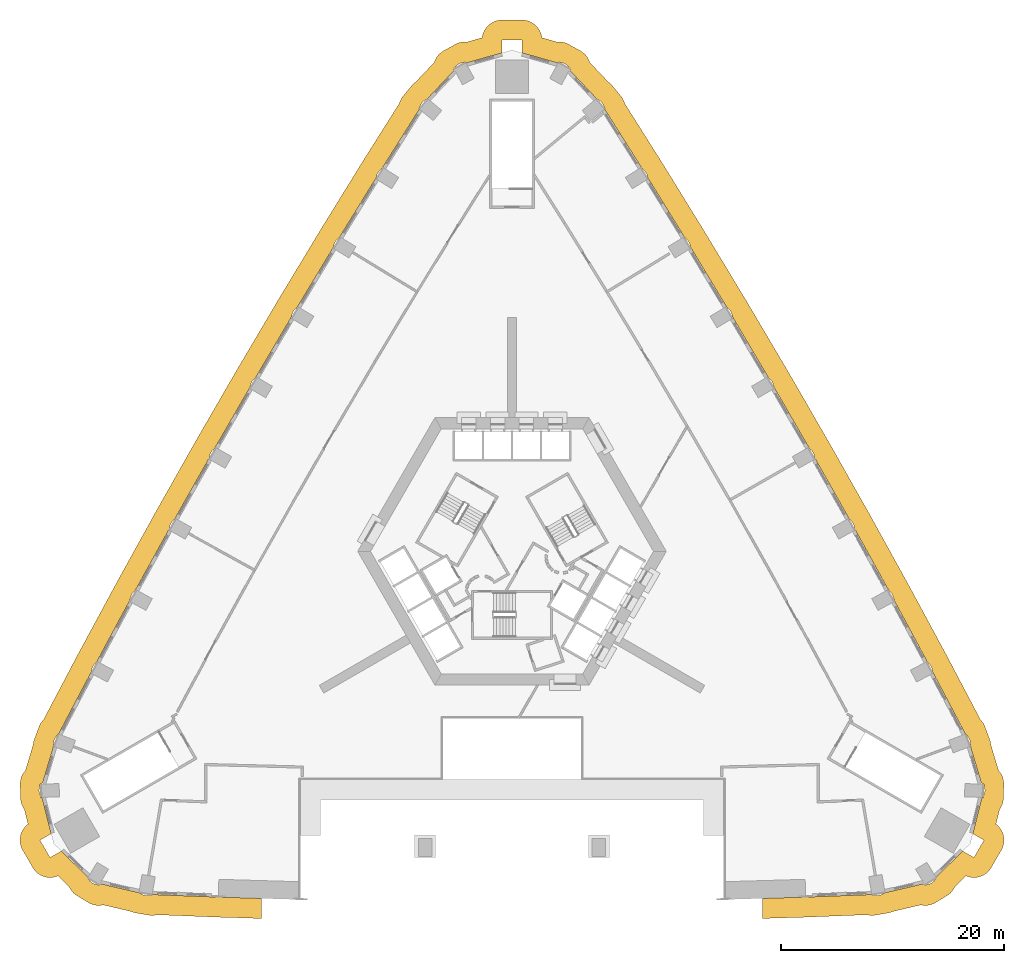
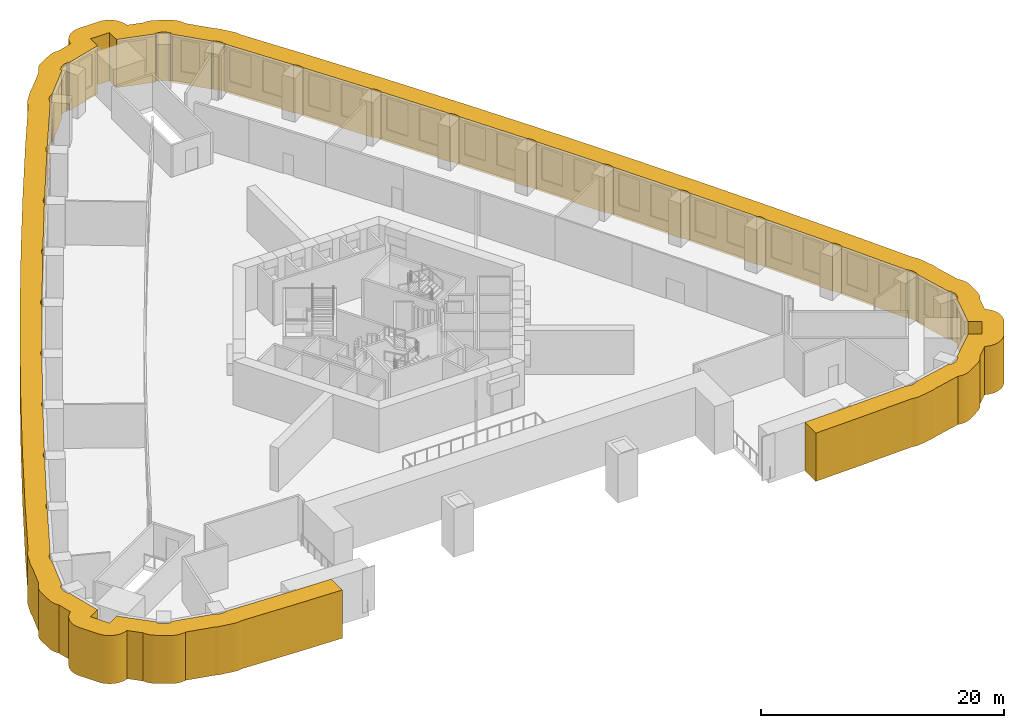
# One storey, part 13 of 15: 1 covering.
"""IFC4 building model written with IfcOpenShell, lengths in metres."""

from ifc_helpers import new_model, si_unit, direction, frame, origin, place, context, subcontext, project, spatial, polyline, outline, extrude, material, type_object, element, save


model = new_model("IFC4")

# Units and contexts
model_context = context("Model", 3, precision=1e-05, world=origin(), true_north=direction((0.0, 1.0)))
body_context = subcontext(model_context, "Body", "Model", "MODEL_VIEW")
ifc_project = project(units=[si_unit("LENGTHUNIT", "METRE"), si_unit("AREAUNIT", "SQUARE_METRE"), si_unit("VOLUMEUNIT", "CUBIC_METRE"), si_unit("PLANEANGLEUNIT", "RADIAN"), si_unit("MASSUNIT", "GRAM", prefix="KILO")], contexts=[model_context])

# Site, building, storey
site_placement = place(None, origin())
site = spatial("IfcSite", under=ifc_project, at=site_placement, CompositionType="ELEMENT")
building_placement = place(site_placement, origin())
building = spatial("IfcBuilding", under=site, at=building_placement, Name="Entoto Arch Interchange Tower", CompositionType="ELEMENT")
storey_placement = place(building_placement, frame((0.0, 0.0, 30.0)))
storey = spatial("IfcBuildingStorey", under=building, at=storey_placement, Name="L05", CompositionType="ELEMENT", Elevation=30.0)

# Covering
ifc_material = material(Name="Board-marked precast concrete C50/60", Category="concrete")
covering_type = type_object("IfcCoveringType", Name="PRECAST FRAME COURSE", PredefinedType="CLADDING", material=ifc_material)
covering_placement = place(storey_placement, frame((0.0, 0.0, -0.449951171875)))
element("IfcCovering", 1, at=covering_placement, inside=storey, type_object=covering_type, Name="Zone frame L05", PredefinedType="CLADDING", context=body_context, shape_type="SweptSolid", body=[
    extrude(outline(polyline([(-44.044921875, -20.14990234375), (-44.092041015625, -19.97998046875), (-44.12109375, -19.805908203125), (-44.134033203125, -19.62890625), (-44.160888671875, -18.429931640625), (-44.156005859375, -18.2529296875), (-44.134033203125, -18.077880859375), (-44.094970703125, -17.906005859375), (-44.0400390625, -17.738037109375), (-43.968017578125, -17.576904296875), (-43.8798828125, -17.423095703125), (-43.778076171875, -17.279052734375), (-43.68408203125, -17.169921875), (-42.991943359375, -14.85009765625), (-42.97705078125, -14.715087890625), (-42.94091796875, -14.5419921875), (-42.886962890625, -14.3740234375), (-42.468994140625, -13.2490234375), (-42.39990234375, -13.0859375), (-42.31494140625, -12.931884765625), (-42.215087890625, -12.785888671875), (-42.10107421875, -12.65087890625), (-42.06591796875, -12.615966796875), (-39.43896484375, -7.631103515625), (-39.4189453125, -7.587890625), (-38.85595703125, -6.528076171875), (-38.85009765625, -6.51806640625), (-35.962890625, -1.172119140625), (-35.94091796875, -1.125), (-35.654052734375, -0.597900390625), (-35.366943359375, -0.071044921875), (-35.362060546875, -0.06103515625), (-32.425048828125, 5.251953125), (-32.39990234375, 5.302001953125), (-31.81591796875, 6.35107421875), (-31.81103515625, 6.360107421875), (-28.825927734375, 11.64111328125), (-28.798095703125, 11.697021484375), (-28.202880859375, 12.739013671875), (-28.197998046875, 12.748046875), (-25.1650390625, 17.99609375), (-25.134033203125, 18.054931640625), (-24.529052734375, 19.091064453125), (-24.52392578125, 19.09912109375), (-21.44189453125, 24.31396484375), (-21.407958984375, 24.3779296875), (-20.7919921875, 25.407958984375), (-20.7880859375, 25.416015625), (-17.658935546875, 30.595947265625), (-17.6220703125, 30.6650390625), (-17.30908203125, 31.177001953125), (-16.99609375, 31.68896484375), (-16.991943359375, 31.695068359375), (-13.81494140625, 36.842041015625), (-13.77392578125, 36.9150390625), (-13.137939453125, 37.93310546875), (-13.134033203125, 37.93896484375), (-10.10693359375, 42.739013671875), (-10.094970703125, 42.785888671875), (-10.034912109375, 42.951904296875), (-9.9580078125, 43.111083984375), (-9.866943359375, 43.261962890625), (-9.760986328125, 43.404052734375), (-9.37890625, 43.865966796875), (-8.99609375, 44.327880859375), (-8.876953125, 44.4580078125), (-8.7451171875, 44.575927734375), (-8.635986328125, 44.656982421875), (-6.971923828125, 46.416015625), (-6.925048828125, 46.552978515625), (-6.85107421875, 46.712890625), (-6.761962890625, 46.865966796875), (-6.657958984375, 47.008056640625), (-6.541015625, 47.14111328125), (-6.410888671875, 47.260986328125), (-6.27001953125, 47.366943359375), (-6.1201171875, 47.4599609375), (-5.06689453125, 48.035888671875), (-4.907958984375, 48.113037109375), (-4.742919921875, 48.174072265625), (-4.572021484375, 48.218994140625), (-4.39697265625, 48.2470703125), (-4.220947265625, 48.257080078125), (-4.044921875, 48.25), (-4.007080078125, 48.2451171875), (-2.68701171875, 48.6201171875), (-2.6650390625, 48.762939453125), (-2.6220703125, 48.93505859375), (-2.56298828125, 49.10107421875), (-2.487060546875, 49.260986328125), (-2.39697265625, 49.412109375), (-2.291015625, 49.553955078125), (-2.173095703125, 49.68505859375), (-2.0419921875, 49.802978515625), (-1.89990234375, 49.908935546875), (-1.7490234375, 49.9990234375), (-1.589111328125, 50.074951171875), (-1.423095703125, 50.134033203125), (-1.2509765625, 50.177001953125), (-1.075927734375, 50.202880859375), (-0.89990234375, 50.2119140625), (0.89990234375, 50.2119140625), (1.075927734375, 50.202880859375), (1.2509765625, 50.177001953125), (1.423095703125, 50.134033203125), (1.589111328125, 50.074951171875), (1.7490234375, 49.9990234375), (1.89990234375, 49.908935546875), (2.0419921875, 49.802978515625), (2.173095703125, 49.68505859375), (2.291015625, 49.553955078125), (2.39697265625, 49.412109375), (2.487060546875, 49.260986328125), (2.56298828125, 49.10107421875), (2.6220703125, 48.93505859375), (2.6650390625, 48.762939453125), (2.68701171875, 48.6201171875), (4.007080078125, 48.2451171875), (4.044921875, 48.25), (4.220947265625, 48.257080078125), (4.39697265625, 48.2470703125), (4.572021484375, 48.218994140625), (4.742919921875, 48.174072265625), (4.907958984375, 48.113037109375), (5.06689453125, 48.035888671875), (6.1201171875, 47.4599609375), (6.27001953125, 47.366943359375), (6.410888671875, 47.260986328125), (6.541015625, 47.14111328125), (6.657958984375, 47.008056640625), (6.761962890625, 46.865966796875), (6.85107421875, 46.712890625), (6.925048828125, 46.552978515625), (6.971923828125, 46.416015625), (8.635986328125, 44.656982421875), (8.7451171875, 44.575927734375), (8.876953125, 44.4580078125), (8.99609375, 44.327880859375), (9.37890625, 43.865966796875), (9.760986328125, 43.404052734375), (9.866943359375, 43.261962890625), (9.9580078125, 43.111083984375), (10.034912109375, 42.951904296875), (10.094970703125, 42.785888671875), (10.10693359375, 42.738037109375), (13.110107421875, 37.972900390625), (13.137939453125, 37.93310546875), (13.77392578125, 36.9150390625), (13.781005859375, 36.905029296875), (16.967041015625, 31.73095703125), (16.99609375, 31.68896484375), (17.6220703125, 30.6650390625), (17.6279296875, 30.655029296875), (20.760986328125, 25.455078125), (20.7919921875, 25.407958984375), (21.407958984375, 24.3779296875), (21.4130859375, 24.368896484375), (24.4951171875, 19.14306640625), (24.529052734375, 19.091064453125), (25.134033203125, 18.054931640625), (25.138916015625, 18.0458984375), (28.1669921875, 12.7958984375), (28.202880859375, 12.739013671875), (28.798095703125, 11.697021484375), (28.802001953125, 11.68896484375), (31.778076171875, 6.410888671875), (31.81591796875, 6.35107421875), (32.39990234375, 5.302001953125), (32.404052734375, 5.294921875), (35.325927734375, -0.0048828125), (35.366943359375, -0.071044921875), (35.654052734375, -0.597900390625), (35.94091796875, -1.125), (35.945068359375, -1.132080078125), (38.81298828125, -6.45703125), (38.85595703125, -6.528076171875), (39.4189453125, -7.587890625), (39.422119140625, -7.593994140625), (42.06591796875, -12.616943359375), (42.10107421875, -12.65087890625), (42.215087890625, -12.785888671875), (42.31494140625, -12.931884765625), (42.39990234375, -13.0859375), (42.468994140625, -13.2490234375), (42.886962890625, -14.3740234375), (42.94091796875, -14.5419921875), (42.97705078125, -14.715087890625), (42.991943359375, -14.85009765625), (43.68408203125, -17.169921875), (43.778076171875, -17.279052734375), (43.8798828125, -17.423095703125), (43.968017578125, -17.576904296875), (44.0400390625, -17.738037109375), (44.094970703125, -17.906005859375), (44.134033203125, -18.077880859375), (44.156005859375, -18.2529296875), (44.160888671875, -18.429931640625), (44.134033203125, -19.62890625), (44.12109375, -19.805908203125), (44.092041015625, -19.97998046875), (44.044921875, -20.14990234375), (43.98095703125, -20.31494140625), (43.902099609375, -20.472900390625), (43.80810546875, -20.6220703125), (43.784912109375, -20.652099609375), (43.449951171875, -21.98291015625), (43.56298828125, -22.072998046875), (43.68994140625, -22.196044921875), (43.803955078125, -22.3310546875), (43.905029296875, -22.47607421875), (43.990966796875, -22.6298828125), (44.06103515625, -22.79296875), (44.114990234375, -22.9609375), (44.152099609375, -23.133056640625), (44.173095703125, -23.30908203125), (44.175048828125, -23.485107421875), (44.160888671875, -23.662109375), (44.12890625, -23.8349609375), (44.0810546875, -24.0048828125), (44.01611328125, -24.1689453125), (43.93505859375, -24.326904296875), (43.034912109375, -25.885009765625), (42.93994140625, -26.033935546875), (42.830078125, -26.172119140625), (42.70703125, -26.299072265625), (42.572021484375, -26.4130859375), (42.427001953125, -26.513916015625), (42.27294921875, -26.60009765625), (42.110107421875, -26.669921875), (41.94189453125, -26.72412109375), (41.77001953125, -26.760986328125), (41.593994140625, -26.781982421875), (41.41796875, -26.783935546875), (41.240966796875, -26.77001953125), (41.068115234375, -26.738037109375), (40.89794921875, -26.68994140625), (40.762939453125, -26.636962890625), (39.778076171875, -27.593017578125), (39.763916015625, -27.6279296875), (39.680908203125, -27.783935546875), (39.583984375, -27.931884765625), (39.472900390625, -28.069091796875), (39.34912109375, -28.195068359375), (39.212890625, -28.306884765625), (39.06689453125, -28.406982421875), (38.041015625, -29.030029296875), (37.885986328125, -29.114013671875), (37.722900390625, -29.18310546875), (37.553955078125, -29.235107421875), (37.381103515625, -29.27001953125), (37.2060546875, -29.2890625), (37.029052734375, -29.2900390625), (36.85302734375, -29.27392578125), (36.699951171875, -29.243896484375), (34.251953125, -29.818115234375), (34.14306640625, -29.865966796875), (33.97509765625, -29.9208984375), (33.802978515625, -29.958984375), (32.618896484375, -30.158935546875), (32.444091796875, -30.179931640625), (32.26708984375, -30.18310546875), (32.091064453125, -30.169921875), (31.9169921875, -30.138916015625), (31.873046875, -30.1259765625), (27.096923828125, -30.31298828125), (27.0390625, -30.318115234375), (25.840087890625, -30.360107421875), (25.8310546875, -30.360107421875), (22.510009765625, -30.458984375), (22.510009765625, -28.656005859375), (25.777099609375, -28.55810546875), (25.777099609375, -28.56103515625), (26.376953125, -28.5400390625), (26.97705078125, -28.51904296875), (26.97705078125, -28.51708984375), (32.305908203125, -28.30810546875), (32.319091796875, -28.384033203125), (32.468994140625, -28.35888671875), (32.468994140625, -28.35888671875), (32.56494140625, -28.383056640625), (32.662109375, -28.39697265625), (32.760986328125, -28.402099609375), (32.860107421875, -28.39697265625), (32.95703125, -28.383056640625), (33.052978515625, -28.35888671875), (33.14599609375, -28.324951171875), (33.235107421875, -28.282958984375), (33.319091796875, -28.23291015625), (33.35009765625, -28.2099609375), (33.5029296875, -28.18408203125), (33.49609375, -28.14697265625), (36.8349609375, -27.364013671875), (36.860107421875, -27.373046875), (36.9560546875, -27.39697265625), (37.052978515625, -27.410888671875), (37.056884765625, -27.410888671875), (37.10595703125, -27.491943359375), (37.238037109375, -27.412109375), (37.2509765625, -27.410888671875), (37.347900390625, -27.39697265625), (37.444091796875, -27.373046875), (37.537109375, -27.339111328125), (37.6259765625, -27.297119140625), (37.7099609375, -27.2470703125), (37.7900390625, -27.18798828125), (37.863037109375, -27.1220703125), (37.928955078125, -27.049072265625), (37.988037109375, -26.968994140625), (38.0, -26.947998046875), (38.132080078125, -26.867919921875), (38.0830078125, -26.7880859375), (38.114013671875, -26.702880859375), (38.114990234375, -26.698974609375), (40.47607421875, -24.407958984375), (41.47607421875, -24.985107421875), (42.3759765625, -23.427001953125), (41.3759765625, -22.84912109375), (42.179931640625, -19.656005859375), (42.22509765625, -19.60693359375), (42.239990234375, -19.5869140625), (42.333984375, -19.589111328125), (42.337890625, -19.43505859375), (42.3759765625, -19.35400390625), (42.409912109375, -19.260986328125), (42.43408203125, -19.1650390625), (42.447998046875, -19.068115234375), (42.452880859375, -18.968994140625), (42.447998046875, -18.8701171875), (42.43408203125, -18.77294921875), (42.409912109375, -18.677001953125), (42.3759765625, -18.583984375), (42.35791015625, -18.544921875), (42.362060546875, -18.388916015625), (42.26611328125, -18.386962890625), (42.22509765625, -18.3310546875), (42.158935546875, -18.258056640625), (42.1201171875, -18.222900390625), (41.1630859375, -15.013916015625), (41.199951171875, -15.0), (41.14599609375, -14.85595703125), (41.14697265625, -14.85009765625), (41.152099609375, -14.7509765625), (41.14697265625, -14.652099609375), (41.133056640625, -14.554931640625), (41.10888671875, -14.458984375), (41.074951171875, -14.365966796875), (41.032958984375, -14.277099609375), (40.98291015625, -14.193115234375), (40.924072265625, -14.113037109375), (40.85791015625, -14.0400390625), (40.8359375, -14.02099609375), (40.781982421875, -13.8759765625), (40.708984375, -13.903076171875), (37.827880859375, -8.43408203125), (37.830078125, -8.43310546875), (37.757080078125, -8.294921875), (37.7529296875, -8.22607421875), (37.739013671875, -8.12890625), (37.715087890625, -8.032958984375), (37.680908203125, -7.93994140625), (37.638916015625, -7.85107421875), (37.589111328125, -7.76708984375), (37.530029296875, -7.68701171875), (37.464111328125, -7.614013671875), (37.39111328125, -7.548095703125), (37.339111328125, -7.510009765625), (37.26611328125, -7.373046875), (37.262939453125, -7.375), (34.35791015625, -1.987060546875), (34.360107421875, -1.986083984375), (34.285888671875, -1.85009765625), (34.282958984375, -1.7900390625), (34.26904296875, -1.693115234375), (34.2451171875, -1.596923828125), (34.2109375, -1.50390625), (34.1689453125, -1.4150390625), (34.118896484375, -1.3310546875), (34.06005859375, -1.2509765625), (33.993896484375, -1.177978515625), (33.9208984375, -1.112060546875), (33.860107421875, -1.06689453125), (33.785888671875, -0.931884765625), (33.782958984375, -0.93408203125), (30.825927734375, 4.425048828125), (30.827880859375, 4.426025390625), (30.7529296875, 4.56201171875), (30.75, 4.611083984375), (30.736083984375, 4.7080078125), (30.7119140625, 4.803955078125), (30.677978515625, 4.89697265625), (30.635986328125, 4.986083984375), (30.5859375, 5.070068359375), (30.527099609375, 5.14990234375), (30.4609375, 5.222900390625), (30.387939453125, 5.2890625), (30.319091796875, 5.340087890625), (30.243896484375, 5.47412109375), (30.240966796875, 5.472900390625), (27.23193359375, 10.802978515625), (27.23388671875, 10.804931640625), (27.156982421875, 10.93994140625), (27.155029296875, 10.97900390625), (27.14111328125, 11.075927734375), (27.116943359375, 11.172119140625), (27.0830078125, 11.264892578125), (27.041015625, 11.35400390625), (26.990966796875, 11.43798828125), (26.931884765625, 11.51806640625), (26.865966796875, 11.591064453125), (26.79296875, 11.656982421875), (26.716064453125, 11.714111328125), (26.639892578125, 11.846923828125), (26.636962890625, 11.845947265625), (23.576904296875, 17.14501953125), (23.580078125, 17.14697265625), (23.501953125, 17.280029296875), (23.5, 17.31005859375), (23.486083984375, 17.406982421875), (23.4619140625, 17.5029296875), (23.427978515625, 17.595947265625), (23.385986328125, 17.68505859375), (23.3359375, 17.76904296875), (23.277099609375, 17.84912109375), (23.2109375, 17.922119140625), (23.137939453125, 17.988037109375), (23.05810546875, 18.047119140625), (23.052001953125, 18.051025390625), (22.97412109375, 18.18310546875), (22.971923828125, 18.181884765625), (19.860107421875, 23.452880859375), (19.863037109375, 23.455078125), (19.782958984375, 23.587890625), (19.781982421875, 23.60693359375), (19.76806640625, 23.7041015625), (19.743896484375, 23.800048828125), (19.7099609375, 23.89306640625), (19.66796875, 23.98193359375), (19.617919921875, 24.06591796875), (19.55908203125, 24.14599609375), (19.492919921875, 24.218994140625), (19.419921875, 24.284912109375), (19.340087890625, 24.343994140625), (19.326904296875, 24.35205078125), (19.2470703125, 24.485107421875), (19.2451171875, 24.48388671875), (16.0830078125, 29.72412109375), (16.0859375, 29.72607421875), (16.006103515625, 29.85693359375), (16.0048828125, 29.867919921875), (15.990966796875, 29.965087890625), (15.967041015625, 30.06103515625), (15.93310546875, 30.154052734375), (15.89111328125, 30.242919921875), (15.841064453125, 30.326904296875), (15.781982421875, 30.406982421875), (15.716064453125, 30.47998046875), (15.64306640625, 30.5458984375), (15.56298828125, 30.60498046875), (15.541015625, 30.617919921875), (15.4599609375, 30.75), (15.4580078125, 30.7490234375), (12.2451171875, 35.958984375), (12.248046875, 35.9609375), (12.1669921875, 36.091064453125), (12.1669921875, 36.092041015625), (12.153076171875, 36.18896484375), (12.12890625, 36.284912109375), (12.094970703125, 36.3779296875), (12.052978515625, 36.467041015625), (12.0029296875, 36.551025390625), (11.944091796875, 36.631103515625), (11.8779296875, 36.7041015625), (11.804931640625, 36.77001953125), (11.72509765625, 36.8291015625), (11.694091796875, 36.846923828125), (11.612060546875, 36.97900390625), (11.610107421875, 36.97802734375), (8.31494140625, 42.2060546875), (8.375, 42.256103515625), (8.27587890625, 42.375), (8.260986328125, 42.43603515625), (8.22705078125, 42.529052734375), (8.18505859375, 42.617919921875), (8.135009765625, 42.701904296875), (8.075927734375, 42.781982421875), (8.010009765625, 42.85498046875), (7.93701171875, 42.9208984375), (7.85693359375, 42.97998046875), (7.77294921875, 43.030029296875), (7.7080078125, 43.06103515625), (7.60888671875, 43.179931640625), (7.5791015625, 43.155029296875), (5.280029296875, 45.5859375), (5.259033203125, 45.672119140625), (5.22509765625, 45.764892578125), (5.2099609375, 45.798095703125), (5.2548828125, 45.881103515625), (5.12109375, 45.955078125), (5.073974609375, 46.01806640625), (5.008056640625, 46.091064453125), (4.93505859375, 46.156982421875), (4.85498046875, 46.216064453125), (4.77099609375, 46.26611328125), (4.681884765625, 46.30810546875), (4.589111328125, 46.342041015625), (4.492919921875, 46.365966796875), (4.39599609375, 46.3798828125), (4.337890625, 46.383056640625), (4.202880859375, 46.45703125), (4.156982421875, 46.3740234375), (4.10107421875, 46.365966796875), (4.06689453125, 46.35693359375), (0.89990234375, 47.256103515625), (0.89990234375, 48.412109375), (-0.89990234375, 48.412109375), (-0.89990234375, 47.256103515625), (-4.06689453125, 46.35693359375), (-4.10107421875, 46.365966796875), (-4.156982421875, 46.3740234375), (-4.202880859375, 46.45703125), (-4.337890625, 46.383056640625), (-4.39599609375, 46.3798828125), (-4.492919921875, 46.365966796875), (-4.589111328125, 46.342041015625), (-4.681884765625, 46.30810546875), (-4.77099609375, 46.26611328125), (-4.85498046875, 46.216064453125), (-4.93505859375, 46.156982421875), (-5.008056640625, 46.091064453125), (-5.073974609375, 46.01806640625), (-5.12109375, 45.955078125), (-5.2548828125, 45.881103515625), (-5.2099609375, 45.798095703125), (-5.22509765625, 45.764892578125), (-5.259033203125, 45.672119140625), (-5.280029296875, 45.5859375), (-7.5791015625, 43.155029296875), (-7.60888671875, 43.179931640625), (-7.7080078125, 43.06103515625), (-7.77294921875, 43.030029296875), (-7.85693359375, 42.97998046875), (-7.93701171875, 42.9208984375), (-8.010009765625, 42.85498046875), (-8.075927734375, 42.781982421875), (-8.135009765625, 42.701904296875), (-8.18505859375, 42.617919921875), (-8.22705078125, 42.529052734375), (-8.260986328125, 42.43603515625), (-8.27587890625, 42.375), (-8.375, 42.256103515625), (-8.31494140625, 42.2060546875), (-11.610107421875, 36.97802734375), (-11.612060546875, 36.97900390625), (-11.694091796875, 36.846923828125), (-11.72509765625, 36.8291015625), (-11.804931640625, 36.77001953125), (-11.8779296875, 36.7041015625), (-11.944091796875, 36.631103515625), (-12.0029296875, 36.551025390625), (-12.052978515625, 36.467041015625), (-12.094970703125, 36.3779296875), (-12.12890625, 36.284912109375), (-12.153076171875, 36.18896484375), (-12.1669921875, 36.092041015625), (-12.1669921875, 36.091064453125), (-12.248046875, 35.9609375), (-12.2451171875, 35.958984375), (-15.4580078125, 30.7490234375), (-15.4599609375, 30.75), (-15.541015625, 30.617919921875), (-15.56298828125, 30.60498046875), (-15.64306640625, 30.5458984375), (-15.716064453125, 30.47998046875), (-15.781982421875, 30.406982421875), (-15.841064453125, 30.326904296875), (-15.89111328125, 30.242919921875), (-15.93310546875, 30.154052734375), (-15.967041015625, 30.06103515625), (-15.990966796875, 29.965087890625), (-16.0048828125, 29.867919921875), (-16.006103515625, 29.85693359375), (-16.0859375, 29.72607421875), (-16.0830078125, 29.72412109375), (-19.2451171875, 24.48388671875), (-19.2470703125, 24.485107421875), (-19.326904296875, 24.35205078125), (-19.340087890625, 24.343994140625), (-19.419921875, 24.284912109375), (-19.492919921875, 24.218994140625), (-19.55908203125, 24.14599609375), (-19.617919921875, 24.06591796875), (-19.66796875, 23.98193359375), (-19.7099609375, 23.89306640625), (-19.743896484375, 23.800048828125), (-19.76806640625, 23.7041015625), (-19.781982421875, 23.60693359375), (-19.782958984375, 23.587890625), (-19.863037109375, 23.455078125), (-19.860107421875, 23.452880859375), (-22.971923828125, 18.181884765625), (-22.97412109375, 18.18310546875), (-23.052001953125, 18.051025390625), (-23.05810546875, 18.047119140625), (-23.137939453125, 17.988037109375), (-23.2109375, 17.922119140625), (-23.277099609375, 17.84912109375), (-23.3359375, 17.76904296875), (-23.385986328125, 17.68505859375), (-23.427978515625, 17.595947265625), (-23.4619140625, 17.5029296875), (-23.486083984375, 17.406982421875), (-23.5, 17.31005859375), (-23.501953125, 17.280029296875), (-23.580078125, 17.14697265625), (-23.576904296875, 17.14501953125), (-26.636962890625, 11.845947265625), (-26.639892578125, 11.846923828125), (-26.716064453125, 11.714111328125), (-26.79296875, 11.656982421875), (-26.865966796875, 11.591064453125), (-26.931884765625, 11.51806640625), (-26.990966796875, 11.43798828125), (-27.041015625, 11.35400390625), (-27.0830078125, 11.264892578125), (-27.116943359375, 11.172119140625), (-27.14111328125, 11.075927734375), (-27.155029296875, 10.97900390625), (-27.156982421875, 10.93994140625), (-27.23388671875, 10.804931640625), (-27.23193359375, 10.802978515625), (-30.240966796875, 5.472900390625), (-30.243896484375, 5.47412109375), (-30.319091796875, 5.340087890625), (-30.387939453125, 5.2890625), (-30.4609375, 5.222900390625), (-30.527099609375, 5.14990234375), (-30.5859375, 5.070068359375), (-30.635986328125, 4.986083984375), (-30.677978515625, 4.89697265625), (-30.7119140625, 4.803955078125), (-30.736083984375, 4.7080078125), (-30.75, 4.611083984375), (-30.7529296875, 4.56201171875), (-30.827880859375, 4.426025390625), (-30.825927734375, 4.425048828125), (-33.782958984375, -0.93408203125), (-33.785888671875, -0.931884765625), (-33.860107421875, -1.06689453125), (-33.9208984375, -1.112060546875), (-33.993896484375, -1.177978515625), (-34.06005859375, -1.2509765625), (-34.118896484375, -1.3310546875), (-34.1689453125, -1.4150390625), (-34.2109375, -1.50390625), (-34.2451171875, -1.596923828125), (-34.26904296875, -1.693115234375), (-34.282958984375, -1.7900390625), (-34.285888671875, -1.85009765625), (-34.360107421875, -1.986083984375), (-34.35791015625, -1.987060546875), (-37.262939453125, -7.375), (-37.26611328125, -7.373046875), (-37.339111328125, -7.510009765625), (-37.39111328125, -7.548095703125), (-37.464111328125, -7.614013671875), (-37.530029296875, -7.68701171875), (-37.589111328125, -7.76708984375), (-37.638916015625, -7.85107421875), (-37.680908203125, -7.93994140625), (-37.715087890625, -8.032958984375), (-37.739013671875, -8.12890625), (-37.7529296875, -8.22607421875), (-37.757080078125, -8.294921875), (-37.830078125, -8.43310546875), (-37.827880859375, -8.43408203125), (-40.708984375, -13.903076171875), (-40.781982421875, -13.8759765625), (-40.8359375, -14.02099609375), (-40.85791015625, -14.0400390625), (-40.924072265625, -14.113037109375), (-40.98291015625, -14.193115234375), (-41.032958984375, -14.277099609375), (-41.074951171875, -14.365966796875), (-41.10888671875, -14.458984375), (-41.133056640625, -14.554931640625), (-41.14697265625, -14.652099609375), (-41.152099609375, -14.7509765625), (-41.14697265625, -14.85009765625), (-41.14599609375, -14.85595703125), (-41.199951171875, -15.0), (-41.1630859375, -15.013916015625), (-42.1201171875, -18.222900390625), (-42.158935546875, -18.258056640625), (-42.22509765625, -18.3310546875), (-42.26611328125, -18.386962890625), (-42.362060546875, -18.388916015625), (-42.35791015625, -18.544921875), (-42.3759765625, -18.583984375), (-42.409912109375, -18.677001953125), (-42.43408203125, -18.77294921875), (-42.447998046875, -18.8701171875), (-42.452880859375, -18.968994140625), (-42.447998046875, -19.068115234375), (-42.43408203125, -19.1650390625), (-42.409912109375, -19.260986328125), (-42.3759765625, -19.35400390625), (-42.337890625, -19.43505859375), (-42.333984375, -19.589111328125), (-42.239990234375, -19.5869140625), (-42.22509765625, -19.60693359375), (-42.179931640625, -19.656005859375), (-41.3759765625, -22.84912109375), (-42.3759765625, -23.427001953125), (-41.47607421875, -24.985107421875), (-40.47607421875, -24.407958984375), (-38.114990234375, -26.698974609375), (-38.114013671875, -26.702880859375), (-38.0830078125, -26.7880859375), (-38.132080078125, -26.867919921875), (-38.0, -26.947998046875), (-37.988037109375, -26.968994140625), (-37.928955078125, -27.049072265625), (-37.863037109375, -27.1220703125), (-37.7900390625, -27.18798828125), (-37.7099609375, -27.2470703125), (-37.6259765625, -27.297119140625), (-37.537109375, -27.339111328125), (-37.444091796875, -27.373046875), (-37.347900390625, -27.39697265625), (-37.2509765625, -27.410888671875), (-37.238037109375, -27.412109375), (-37.10595703125, -27.491943359375), (-37.056884765625, -27.410888671875), (-37.052978515625, -27.410888671875), (-36.9560546875, -27.39697265625), (-36.860107421875, -27.373046875), (-36.8349609375, -27.364013671875), (-33.49609375, -28.14697265625), (-33.5029296875, -28.18408203125), (-33.35009765625, -28.2099609375), (-33.319091796875, -28.23291015625), (-33.235107421875, -28.282958984375), (-33.14599609375, -28.324951171875), (-33.052978515625, -28.35888671875), (-32.95703125, -28.383056640625), (-32.860107421875, -28.39697265625), (-32.760986328125, -28.402099609375), (-32.662109375, -28.39697265625), (-32.56494140625, -28.383056640625), (-32.468994140625, -28.35888671875), (-32.468994140625, -28.35888671875), (-32.319091796875, -28.384033203125), (-32.305908203125, -28.30810546875), (-26.97705078125, -28.51708984375), (-26.97705078125, -28.51904296875), (-26.376953125, -28.5400390625), (-25.777099609375, -28.56103515625), (-25.777099609375, -28.55810546875), (-22.510009765625, -28.656005859375), (-22.510009765625, -30.4619140625), (-25.778076171875, -30.35888671875), (-25.840087890625, -30.360107421875), (-27.0390625, -30.318115234375), (-27.048095703125, -30.318115234375), (-31.8740234375, -30.1259765625), (-31.9169921875, -30.138916015625), (-32.091064453125, -30.169921875), (-32.26708984375, -30.18310546875), (-32.444091796875, -30.179931640625), (-32.618896484375, -30.158935546875), (-33.802978515625, -29.958984375), (-33.97509765625, -29.9208984375), (-34.14306640625, -29.865966796875), (-34.251953125, -29.818115234375), (-36.699951171875, -29.243896484375), (-36.85302734375, -29.27392578125), (-37.029052734375, -29.2900390625), (-37.2060546875, -29.2890625), (-37.381103515625, -29.27001953125), (-37.553955078125, -29.235107421875), (-37.722900390625, -29.18310546875), (-37.885986328125, -29.114013671875), (-38.041015625, -29.030029296875), (-39.06689453125, -28.406982421875), (-39.212890625, -28.306884765625), (-39.34912109375, -28.195068359375), (-39.472900390625, -28.069091796875), (-39.583984375, -27.931884765625), (-39.680908203125, -27.783935546875), (-39.763916015625, -27.6279296875), (-39.778076171875, -27.593017578125), (-40.762939453125, -26.636962890625), (-40.89794921875, -26.68994140625), (-41.068115234375, -26.738037109375), (-41.240966796875, -26.77001953125), (-41.41796875, -26.783935546875), (-41.593994140625, -26.781982421875), (-41.77001953125, -26.760986328125), (-41.94189453125, -26.72412109375), (-42.110107421875, -26.669921875), (-42.27294921875, -26.60009765625), (-42.427001953125, -26.513916015625), (-42.572021484375, -26.4130859375), (-42.70703125, -26.299072265625), (-42.830078125, -26.172119140625), (-42.93994140625, -26.033935546875), (-43.034912109375, -25.885009765625), (-43.93505859375, -24.326904296875), (-44.01611328125, -24.1689453125), (-44.0810546875, -24.0048828125), (-44.12890625, -23.8349609375), (-44.160888671875, -23.662109375), (-44.175048828125, -23.485107421875), (-44.173095703125, -23.30908203125), (-44.152099609375, -23.133056640625), (-44.114990234375, -22.9609375), (-44.06103515625, -22.79296875), (-43.990966796875, -22.6298828125), (-43.905029296875, -22.47607421875), (-43.803955078125, -22.3310546875), (-43.68994140625, -22.196044921875), (-43.56298828125, -22.072998046875), (-43.449951171875, -21.98291015625), (-43.784912109375, -20.652099609375), (-43.80810546875, -20.6220703125), (-43.902099609375, -20.472900390625), (-43.98095703125, -20.31494140625), (-44.044921875, -20.14990234375)])), origin(), (0.0, 0.0, 1.0), 4.849853515625),
])

save(model, "model.ifc")
